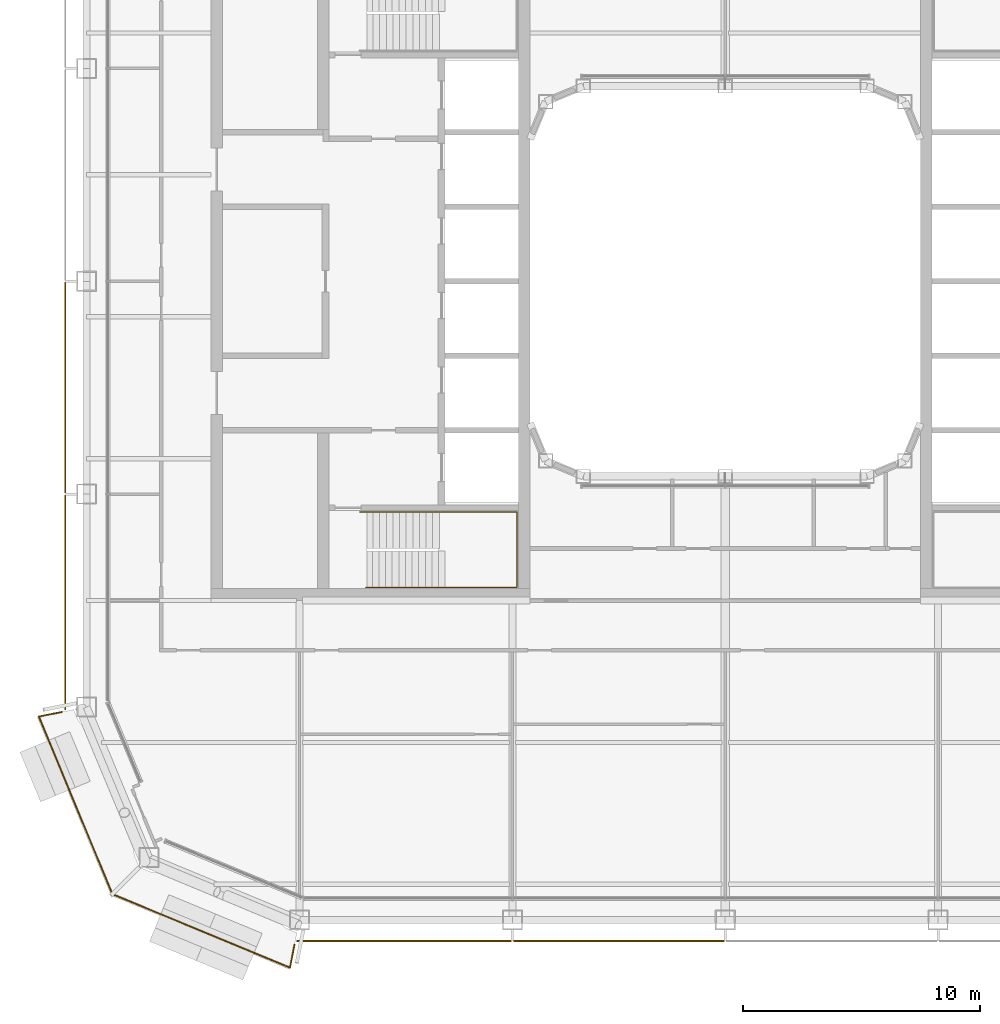
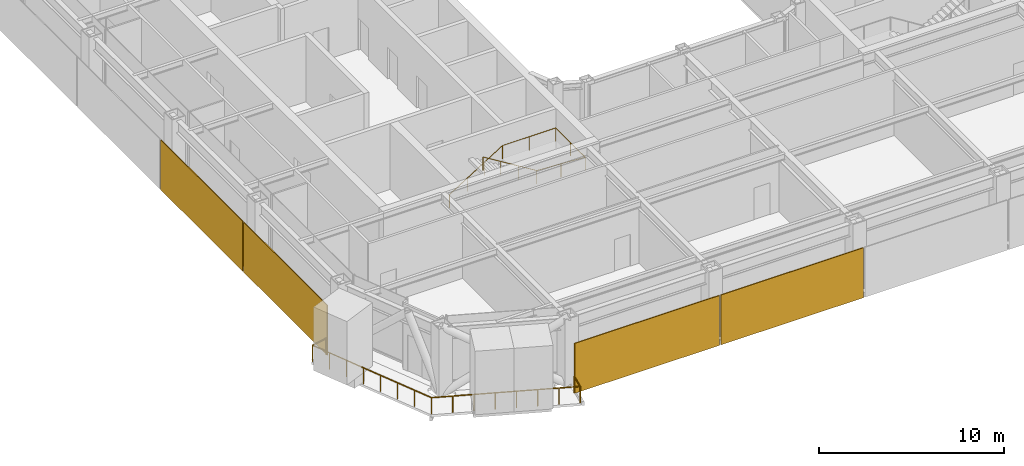
# One storey, part 19 of 23: 4 coverings, 2 railings.
"""IFC4 building model written with IfcOpenShell, lengths in metres."""

from ifc_helpers import new_model, si_unit, direction, frame, origin, origin_2d, place, context, subcontext, project, spatial, rectangle, circle, extrude, material, layer, layer_set, type_object, element, save


model = new_model("IFC4")

# Units and contexts
model_context = context("Model", 3, precision=1e-05, world=origin(), true_north=direction((0.0, 1.0)))
body_context = subcontext(model_context, "Body", "Model", "MODEL_VIEW")
ifc_project = project(units=[si_unit("LENGTHUNIT", "METRE"), si_unit("AREAUNIT", "SQUARE_METRE"), si_unit("VOLUMEUNIT", "CUBIC_METRE"), si_unit("PLANEANGLEUNIT", "RADIAN"), si_unit("MASSUNIT", "GRAM", prefix="KILO")], contexts=[model_context])

# Site, building, storey
site_placement = place(None, origin())
site = spatial("IfcSite", under=ifc_project, at=site_placement, CompositionType="ELEMENT")
building_placement = place(site_placement, origin())
building = spatial("IfcBuilding", under=site, at=building_placement, Name="Siwar Civic Tower", CompositionType="ELEMENT")
storey_placement = place(building_placement, frame((0.0, 0.0, 233.199951171875)))
storey = spatial("IfcBuildingStorey", under=building, at=storey_placement, Name="L50", CompositionType="ELEMENT", Elevation=233.199951171875)

# Railings
ifc_material_1 = material(Name="Stainless steel", Category="steel")
railing_type_1 = type_object("IfcRailingType", Name="CORE-STAIR-HANDRAIL", PredefinedType="HANDRAIL", material=ifc_material_1)
railing_1_placement = place(storey_placement, frame((-15.449951171875, -9.758056640625, 0.173095703125)))
element("IfcRailing", 1, at=railing_1_placement, inside=storey, type_object=railing_type_1, Name="Stair handrail ST2", PredefinedType="HANDRAIL", context=body_context, shape_type="SweptSolid", body=[
    extrude(circle(Radius=0.02001953125, at=origin_2d()), frame((0.0, 0.0, 0.8798828125), z_axis=(0.847063342986, 0.0, 0.531491950051), x_axis=(0.0, 1.0, 0.0)), (0.0, 0.0, 1.0), 3.90771484375),
    extrude(circle(Radius=0.02001953125, at=origin_2d()), frame((3.31005859375, 0.0, 2.956787109375), z_axis=(1.0, 0.0, 0.0), x_axis=(0.0, 1.0, 0.0)), (0.0, 0.0, 1.0), 3.331787109375),
    extrude(circle(Radius=0.02001953125, at=origin_2d()), frame((6.641845703125, 0.0, 2.956787109375), z_axis=(0.0, -1.0, 0.0), x_axis=(1.0, 0.0, 0.0)), (0.0, 0.0, 1.0), 3.183837890625),
    extrude(circle(Radius=0.02001953125, at=origin_2d()), frame((6.641845703125, -3.183837890625, 2.956787109375), z_axis=(-0.99837434197, 0.0, 0.056997134106), x_axis=(0.0, -1.0, 0.0)), (0.0, 0.0, 1.0), 3.036865234375),
    extrude(circle(Radius=0.02001953125, at=origin_2d()), frame((3.60986328125, -3.183837890625, 3.1298828125), z_axis=(-0.850606129759, 0.0, 0.525803396734), x_axis=(0.0, -1.0, 0.0)), (0.0, 0.0, 1.0), 3.949951171875),
    extrude(circle(Radius=0.02001953125, at=origin_2d()), origin(), (0.0, 0.0, 1.0), 0.85986328125),
    extrude(circle(Radius=0.02001953125, at=origin_2d()), frame((1.103271484375, 0.0, 0.6923828125)), (0.0, 0.0, 1.0), 0.85986328125),
    extrude(circle(Radius=0.02001953125, at=origin_2d()), frame((2.206787109375, 0.0, 1.384521484375)), (0.0, 0.0, 1.0), 0.85986328125),
    extrude(circle(Radius=0.02001953125, at=origin_2d()), frame((3.31005859375, 0.0, 2.076904296875)), (0.0, 0.0, 1.0), 0.85986328125),
    extrude(circle(Radius=0.02001953125, at=origin_2d()), frame((4.97607421875, 0.0, 2.076904296875)), (0.0, 0.0, 1.0), 0.85986328125),
    extrude(circle(Radius=0.02001953125, at=origin_2d()), frame((6.641845703125, 0.0, 2.076904296875)), (0.0, 0.0, 1.0), 0.85986328125),
    extrude(circle(Radius=0.02001953125, at=origin_2d()), frame((6.641845703125, -1.591796875, 2.076904296875)), (0.0, 0.0, 1.0), 0.85986328125),
    extrude(circle(Radius=0.02001953125, at=origin_2d()), frame((6.641845703125, -3.183837890625, 2.076904296875)), (0.0, 0.0, 1.0), 0.85986328125),
    extrude(circle(Radius=0.02001953125, at=origin_2d()), frame((5.1259765625, -3.183837890625, 2.16357421875)), (0.0, 0.0, 1.0), 0.85986328125),
    extrude(circle(Radius=0.02001953125, at=origin_2d()), frame((3.60986328125, -3.183837890625, 2.25)), (0.0, 0.0, 1.0), 0.85986328125),
    extrude(circle(Radius=0.02001953125, at=origin_2d()), frame((2.489990234375, -3.183837890625, 2.9423828125)), (0.0, 0.0, 1.0), 0.85986328125),
    extrude(circle(Radius=0.02001953125, at=origin_2d()), frame((1.369873046875, -3.183837890625, 3.634521484375)), (0.0, 0.0, 1.0), 0.85986328125),
    extrude(circle(Radius=0.02001953125, at=origin_2d()), frame((0.25, -3.183837890625, 4.326904296875)), (0.0, 0.0, 1.0), 0.85986328125),
])
ifc_material_2 = material(Name="Stainless steel 316", Category="steel")
railing_type_2 = type_object("IfcRailingType", Name="ENV-GUARD", PredefinedType="GUARDRAIL", material=ifc_material_2)
railing_2_placement = place(storey_placement, frame((-28.047119140625, -18.208251953125, 0.0)))
element("IfcRailing", 2, at=railing_2_placement, inside=storey, type_object=railing_type_2, Name="Balcony guard SW", PredefinedType="GUARDRAIL", context=body_context, shape_type="SweptSolid", body=[
    extrude(circle(Radius=0.02392578125, at=origin_2d()), frame((0.0, 0.0, 1.076171875), z_axis=(-0.980778661911, -0.195123592472, 0.0), x_axis=(0.195123592472, -0.980778661911, 0.0)), (0.0, 0.0, 1.0), 0.993408203125),
    extrude(circle(Radius=0.02392578125, at=origin_2d()), frame((-0.974365234375, -0.19384765625, 1.076171875), z_axis=(0.382176720888, -0.924089256518, 0.0), x_axis=(0.924089256518, 0.382176720888, 0.0)), (0.0, 0.0, 1.0), 8.129638671875),
    extrude(circle(Radius=0.02392578125, at=origin_2d()), frame((2.132568359375, -7.706298828125, 1.076171875), z_axis=(0.924089256518, -0.382176720888, 0.0), x_axis=(0.382176720888, 0.924089256518, 0.0)), (0.0, 0.0, 1.0), 8.129638671875),
    extrude(circle(Radius=0.02392578125, at=origin_2d()), frame((9.64501953125, -10.813232421875, 1.076171875), z_axis=(0.195123592472, 0.980778661911, 0.0), x_axis=(-0.980778661911, 0.195123592472, 0.0)), (0.0, 0.0, 1.0), 0.993408203125),
    extrude(circle(Radius=0.02099609375, at=origin_2d()), origin(), (0.0, 0.0, 1.0), 1.052001953125),
    extrude(circle(Radius=0.02099609375, at=origin_2d()), frame((-0.974365234375, -0.19384765625, 0.0)), (0.0, 0.0, 1.0), 1.052001953125),
    extrude(circle(Radius=0.02099609375, at=origin_2d()), frame((-0.530517578125, -1.26708984375, 0.0)), (0.0, 0.0, 1.0), 1.052001953125),
    extrude(circle(Radius=0.02099609375, at=origin_2d()), frame((-0.086669921875, -2.34033203125, 0.0)), (0.0, 0.0, 1.0), 1.052001953125),
    extrude(circle(Radius=0.02099609375, at=origin_2d()), frame((0.357177734375, -3.41357421875, 0.0)), (0.0, 0.0, 1.0), 1.052001953125),
    extrude(circle(Radius=0.02099609375, at=origin_2d()), frame((0.801025390625, -4.486572265625, 0.0)), (0.0, 0.0, 1.0), 1.052001953125),
    extrude(circle(Radius=0.02099609375, at=origin_2d()), frame((1.244873046875, -5.559814453125, 0.0)), (0.0, 0.0, 1.0), 1.052001953125),
    extrude(circle(Radius=0.02099609375, at=origin_2d()), frame((1.688720703125, -6.633056640625, 0.0)), (0.0, 0.0, 1.0), 1.052001953125),
    extrude(circle(Radius=0.02099609375, at=origin_2d()), frame((2.132568359375, -7.706298828125, 0.0)), (0.0, 0.0, 1.0), 1.052001953125),
    extrude(circle(Radius=0.02099609375, at=origin_2d()), frame((3.205810546875, -8.150146484375, 0.0)), (0.0, 0.0, 1.0), 1.052001953125),
    extrude(circle(Radius=0.02099609375, at=origin_2d()), frame((4.279052734375, -8.593994140625, 0.0)), (0.0, 0.0, 1.0), 1.052001953125),
    extrude(circle(Radius=0.02099609375, at=origin_2d()), frame((5.352294921875, -9.037841796875, 0.0)), (0.0, 0.0, 1.0), 1.052001953125),
    extrude(circle(Radius=0.02099609375, at=origin_2d()), frame((6.42529296875, -9.481689453125, 0.0)), (0.0, 0.0, 1.0), 1.052001953125),
    extrude(circle(Radius=0.02099609375, at=origin_2d()), frame((7.49853515625, -9.925537109375, 0.0)), (0.0, 0.0, 1.0), 1.052001953125),
    extrude(circle(Radius=0.02099609375, at=origin_2d()), frame((8.57177734375, -10.369384765625, 0.0)), (0.0, 0.0, 1.0), 1.052001953125),
    extrude(circle(Radius=0.02099609375, at=origin_2d()), frame((9.64501953125, -10.813232421875, 0.0)), (0.0, 0.0, 1.0), 1.052001953125),
    extrude(circle(Radius=0.02099609375, at=origin_2d()), frame((9.8388671875, -9.8388671875, 0.0)), (0.0, 0.0, 1.0), 1.052001953125),
])

# Coverings
ifc_material_3 = material(Name="Perforated aluminium cassette, pale metal", Category="aluminium")
ifc_layer_1 = layer(ifc_material_3, 0.050048828125)
ifc_layer_set_1 = layer_set([ifc_layer_1], Name="Perforated aluminium cassette, pale metal")
covering_type_1 = type_object("IfcCoveringType", Name="ENV-OUTER SKIN OS-3", PredefinedType="CLADDING", material=ifc_layer_set_1)
covering_1_placement = place(storey_placement, frame((-27.89990234375, -4.5, -0.14990234375), z_axis=(0.0, 0.0, 1.0), x_axis=(0.0, -1.0, 0.0)))
element("IfcCovering", 3, at=covering_1_placement, inside=storey, type_object=covering_type_1, Name="OUTER SKIN OS-3 W 3", PredefinedType="CLADDING", context=body_context, shape_type="SweptSolid", body=[
    extrude(rectangle(XDim=8.89990234375, YDim=0.050048828125, at=origin_2d()), origin(), (0.0, 0.0, 1.0), 3.300048828125),
])
covering_2_placement = place(storey_placement, frame((-27.89990234375, -13.57958984375, -0.14990234375), z_axis=(0.0, 0.0, 1.0), x_axis=(0.0, -1.0, 0.0)))
element("IfcCovering", 4, at=covering_2_placement, inside=storey, type_object=covering_type_1, Name="OUTER SKIN OS-3 W 4", PredefinedType="CLADDING", context=body_context, shape_type="SweptSolid", body=[
    extrude(rectangle(XDim=9.05908203125, YDim=0.050048828125, at=origin_2d()), origin(), (0.0, 0.0, 1.0), 3.300048828125),
])
ifc_material_4 = material(Name="Perforated aluminium cassette, pale metal", Category="aluminium")
ifc_layer_2 = layer(ifc_material_4, 0.054931640625)
ifc_layer_set_2 = layer_set([ifc_layer_2], Name="Perforated aluminium cassette, pale metal")
covering_type_2 = type_object("IfcCoveringType", Name="ENV-OUTER SKIN OS-4", PredefinedType="CLADDING", material=ifc_layer_set_2)
covering_3_placement = place(storey_placement, frame((-13.57958984375, -27.89990234375, -0.14990234375), z_axis=(0.0, 0.0, 1.0), x_axis=(1.0, 0.0, 0.0)))
element("IfcCovering", 5, at=covering_3_placement, inside=storey, type_object=covering_type_2, Name="OUTER SKIN OS-4 S 1", PredefinedType="CLADDING", context=body_context, shape_type="SweptSolid", body=[
    extrude(rectangle(XDim=9.05908203125, YDim=0.054931640625, at=origin_2d()), origin(), (0.0, 0.0, 1.0), 3.300048828125),
])
covering_4_placement = place(storey_placement, frame((-4.5, -27.89990234375, -0.14990234375), z_axis=(0.0, 0.0, 1.0), x_axis=(1.0, 0.0, 0.0)))
element("IfcCovering", 6, at=covering_4_placement, inside=storey, type_object=covering_type_2, Name="OUTER SKIN OS-4 S 2", PredefinedType="CLADDING", context=body_context, shape_type="SweptSolid", body=[
    extrude(rectangle(XDim=8.89990234375, YDim=0.054931640625, at=origin_2d()), origin(), (0.0, 0.0, 1.0), 3.300048828125),
])

save(model, "model.ifc")
